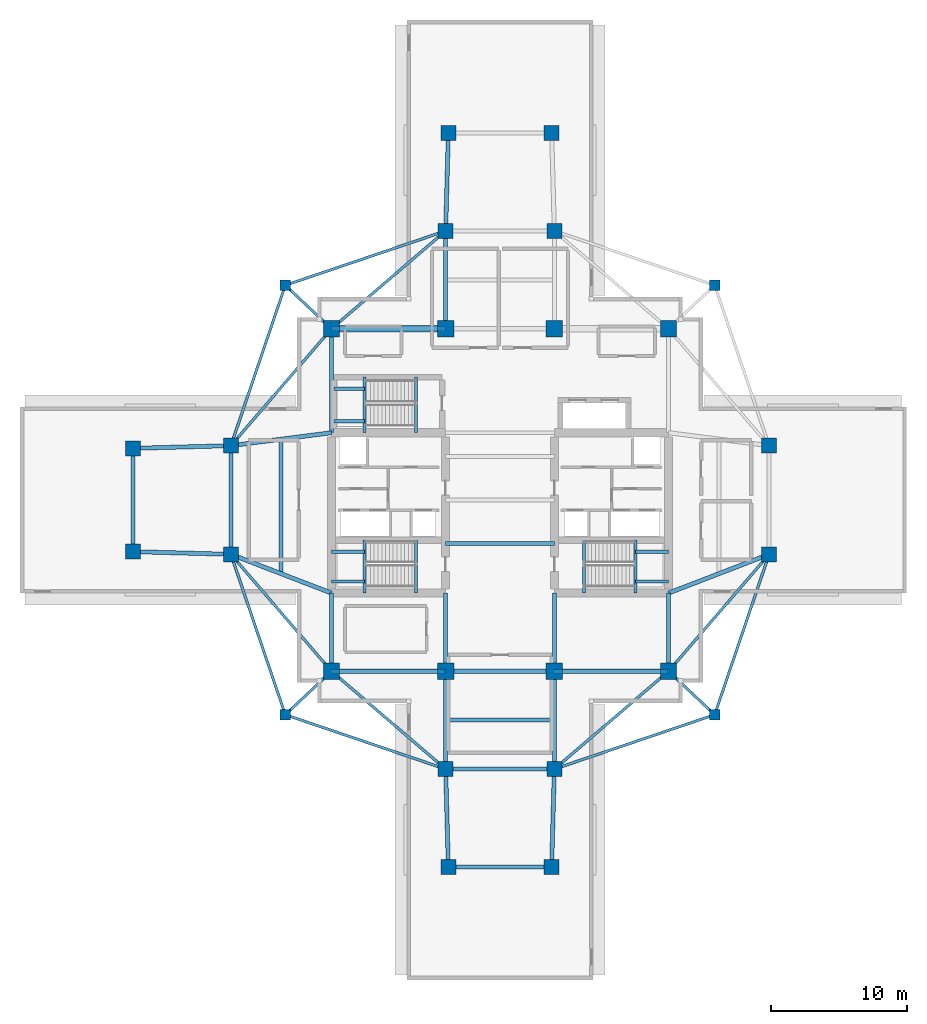
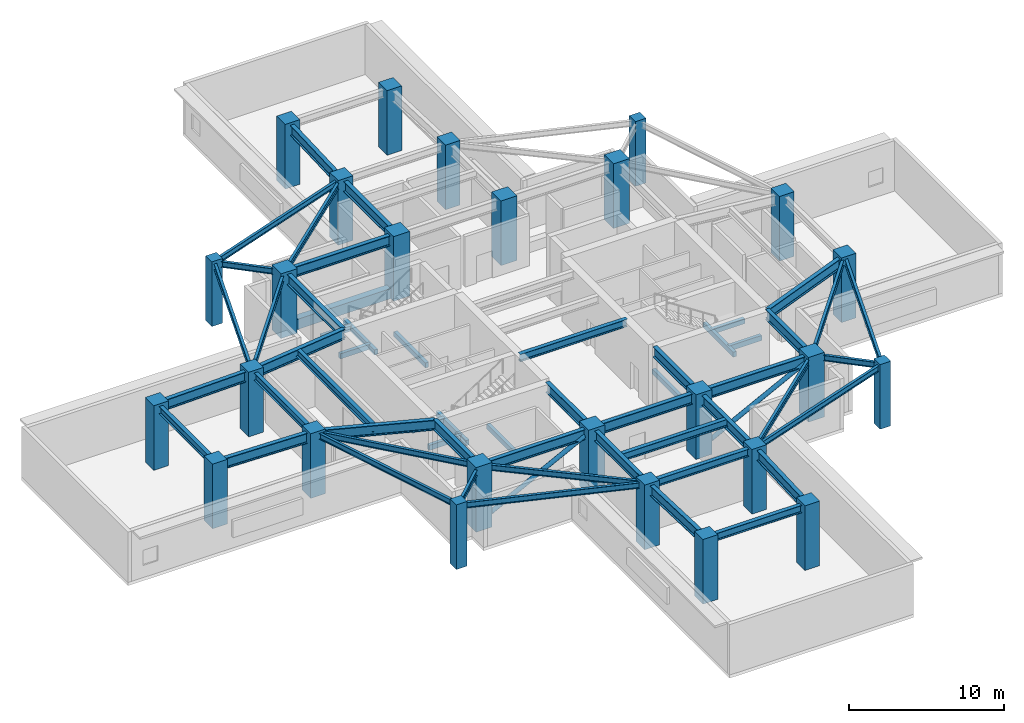
# One storey, part 1 of 11: 55 beams, 26 columns, 2 members.
"""IFC4 building model written with IfcOpenShell, lengths in metres."""

from ifc_helpers import new_model, si_unit, direction, frame, origin, origin_2d, place, context, subcontext, project, spatial, rectangle, hollow_circle, i_section, extrude, material, material_profile, profile_set, type_object, element, save


model = new_model("IFC4")

# Units and contexts
model_context = context("Model", 3, precision=1e-05, world=origin(), true_north=direction((0.0, 1.0)))
body_context = subcontext(model_context, "Body", "Model", "MODEL_VIEW")
ifc_project = project(units=[si_unit("LENGTHUNIT", "METRE"), si_unit("AREAUNIT", "SQUARE_METRE"), si_unit("VOLUMEUNIT", "CUBIC_METRE"), si_unit("PLANEANGLEUNIT", "RADIAN"), si_unit("MASSUNIT", "GRAM", prefix="KILO")], contexts=[model_context])

# Site, building, storey
site_placement = place(None, origin())
site = spatial("IfcSite", under=ifc_project, at=site_placement, CompositionType="ELEMENT")
building_placement = place(site_placement, origin())
building = spatial("IfcBuilding", under=site, at=building_placement, Name="Qingluan Cross Belvedere", CompositionType="ELEMENT")
storey_placement = place(building_placement, frame((0.0, 0.0, 143.699951171875)))
storey = spatial("IfcBuildingStorey", under=building, at=storey_placement, Name="L36", CompositionType="ELEMENT", Elevation=143.699951171875)

# Columns
ifc_material_1 = material(Name="Concrete C60", Category="concrete")
ifc_material_profile_1 = material_profile(ifc_material_1, rectangle(XDim=1.10009765625, YDim=1.10009765625, at=origin_2d()), Name="RC1100x1100")
ifc_profile_set_1 = profile_set([ifc_material_profile_1], Name="Concrete C60")
column_type_1 = type_object("IfcColumnType", Name="Column_RC1100x1100", PredefinedType="COLUMN", material=ifc_profile_set_1)
for number, where, z_axis, x_axis, name in (
    (1, (19.800048828125, -4.0, 0.0), (0.0, 0.0, 1.0), (1.0, 0.0, 0.0), "Arm column L36-EIA"),
    (2, (19.800048828125, 4.0, 0.0), (0.0, 0.0, 1.0), (1.0, 0.0, 0.0), "Arm column L36-EIB"),
    (3, (-19.800048828125, -4.0, 0.0), (0.0, 0.0, 1.0), (1.0, 0.0, 0.0), "Arm column L36-WIA"),
    (4, (-19.800048828125, 4.0, 0.0), (0.0, 0.0, 1.0), (1.0, 0.0, 0.0), "Arm column L36-WIB"),
    (5, (-4.0, -19.800048828125, 0.0), (0.0, 0.0, 1.0), (1.0, 0.0, 0.0), "Arm column L36-SIA"),
    (6, (4.0, -19.800048828125, 0.0), (0.0, 0.0, 1.0), (1.0, 0.0, 0.0), "Arm column L36-SIB"),
    (7, (-4.0, 19.800048828125, 0.0), (0.0, 0.0, 1.0), (1.0, 0.0, 0.0), "Arm column L36-NIA"),
    (8, (4.0, 19.800048828125, 0.0), (0.0, 0.0, 1.0), (1.0, 0.0, 0.0), "Arm column L36-NIB"),
    (9, (-27.0, -3.800048828125, 0.0), (0.0, 0.0, 1.0), (1.0, 0.0, 0.0), "Arm column L36-WOA"),
    (10, (-27.0, 3.800048828125, 0.0), (0.0, 0.0, 1.0), (1.0, 0.0, 0.0), "Arm column L36-WOB"),
    (11, (-3.800048828125, -27.0, 0.0), (0.0, 0.0, 1.0), (1.0, 0.0, 0.0), "Arm column L36-SOA"),
    (12, (3.800048828125, -27.0, 0.0), (0.0, 0.0, 1.0), (1.0, 0.0, 0.0), "Arm column L36-SOB"),
    (13, (-3.800048828125, 27.0, 0.0), (0.0, 0.0, 1.0), (1.0, 0.0, 0.0), "Arm column L36-NOA"),
    (14, (3.800048828125, 27.0, 0.0), (0.0, 0.0, 1.0), (1.0, 0.0, 0.0), "Arm column L36-NOB"),
):
    element("IfcColumn", number, at=place(storey_placement, frame(where, z_axis=z_axis, x_axis=x_axis)), inside=storey, type_object=column_type_1, Name=name, PredefinedType="COLUMN", context=body_context, shape_type="SweptSolid", body=[
        extrude(rectangle(XDim=1.10009765625, YDim=1.10009765625, at=origin_2d()), origin(), (0.0, 0.0, 1.0), 5.10009765625),
    ])
ifc_material_2 = material(Name="Concrete C60", Category="concrete")
ifc_material_profile_2 = material_profile(ifc_material_2, rectangle(XDim=1.199951171875, YDim=1.199951171875, at=origin_2d()), Name="RC1200x1200")
ifc_profile_set_2 = profile_set([ifc_material_profile_2], Name="Concrete C60")
column_type_2 = type_object("IfcColumnType", Name="Column_RC1200x1200", PredefinedType="COLUMN", material=ifc_profile_set_2)
for number, where, z_axis, x_axis, name in (
    (15, (-12.39990234375, -12.60009765625, 0.0), (0.0, 0.0, 1.0), (1.0, 0.0, 0.0), "Hub column L36-HC1"),
    (16, (12.39990234375, -12.60009765625, 0.0), (0.0, 0.0, 1.0), (1.0, 0.0, 0.0), "Hub column L36-HC2"),
    (17, (12.39990234375, 12.60009765625, 0.0), (0.0, 0.0, 1.0), (1.0, 0.0, 0.0), "Hub column L36-HC3"),
    (18, (-12.39990234375, 12.60009765625, 0.0), (0.0, 0.0, 1.0), (1.0, 0.0, 0.0), "Hub column L36-HC4"),
    (19, (-4.0, -12.60009765625, 0.0), (0.0, 0.0, 1.0), (1.0, 0.0, 0.0), "Hub column L36-HC5"),
    (20, (4.0, -12.60009765625, 0.0), (0.0, 0.0, 1.0), (1.0, 0.0, 0.0), "Hub column L36-HC6"),
    (21, (4.0, 12.60009765625, 0.0), (0.0, 0.0, 1.0), (1.0, 0.0, 0.0), "Hub column L36-HC7"),
    (22, (-4.0, 12.60009765625, 0.0), (0.0, 0.0, 1.0), (1.0, 0.0, 0.0), "Hub column L36-HC8"),
):
    element("IfcColumn", number, at=place(storey_placement, frame(where, z_axis=z_axis, x_axis=x_axis)), inside=storey, type_object=column_type_2, Name=name, PredefinedType="COLUMN", context=body_context, shape_type="SweptSolid", body=[
        extrude(rectangle(XDim=1.199951171875, YDim=1.199951171875, at=origin_2d()), origin(), (0.0, 0.0, 1.0), 5.10009765625),
    ])
ifc_material_3 = material(Name="Concrete C50", Category="concrete")
ifc_material_profile_3 = material_profile(ifc_material_3, rectangle(XDim=0.800048828125, YDim=0.800048828125, at=origin_2d()), Name="RC800x800")
ifc_profile_set_3 = profile_set([ifc_material_profile_3], Name="Concrete C50")
column_type_3 = type_object("IfcColumnType", Name="Column_RC800x800", PredefinedType="COLUMN", material=ifc_profile_set_3)
for number, where, z_axis, x_axis, name in (
    (23, (15.800048828125, 15.800048828125, 0.0), (0.0, 0.0, 1.0), (1.0, 0.0, 0.0), "Corner column L36-RNE"),
    (24, (-15.800048828125, 15.800048828125, 0.0), (0.0, 0.0, 1.0), (1.0, 0.0, 0.0), "Corner column L36-RNW"),
    (25, (-15.800048828125, -15.800048828125, 0.0), (0.0, 0.0, 1.0), (1.0, 0.0, 0.0), "Corner column L36-RSW"),
    (26, (15.800048828125, -15.800048828125, 0.0), (0.0, 0.0, 1.0), (1.0, 0.0, 0.0), "Corner column L36-RSE"),
):
    element("IfcColumn", number, at=place(storey_placement, frame(where, z_axis=z_axis, x_axis=x_axis)), inside=storey, type_object=column_type_3, Name=name, PredefinedType="COLUMN", context=body_context, shape_type="SweptSolid", body=[
        extrude(rectangle(XDim=0.800048828125, YDim=0.800048828125, at=origin_2d()), origin(), (0.0, 0.0, 1.0), 5.10009765625),
    ])

# Beams
ifc_material_4 = material(Name="Concrete C45", Category="concrete")
ifc_material_profile_4 = material_profile(ifc_material_4, rectangle(XDim=0.25, YDim=0.39990234375, at=origin_2d()), Name="RC250x400")
ifc_profile_set_4 = profile_set([ifc_material_profile_4], Name="Concrete C45")
beam_type_1 = type_object("IfcBeamType", Name="RC_Lintel_RC250x400", PredefinedType="LINTEL", material=ifc_profile_set_4)
for number, where, z_axis, x_axis, name in (
    (27, (-6.179931640625, -6.85009765625, -0.199951171875), (0.0, 1.0, 0.0), (-1.0, 0.0, 0.0), "Stair ST1 landing beam L36"),
    (28, (6.179931640625, -6.85009765625, -0.199951171875), (0.0, 1.0, 0.0), (-1.0, 0.0, 0.0), "Stair ST2 landing beam L36"),
):
    element("IfcBeam", number, at=place(storey_placement, frame(where, z_axis=z_axis, x_axis=x_axis)), inside=storey, type_object=beam_type_1, Name=name, PredefinedType="LINTEL", context=body_context, shape_type="SweptSolid", body=[
        extrude(rectangle(XDim=0.25, YDim=0.39990234375, at=origin_2d()), origin(), (0.0, 0.0, 1.0), 3.89013671875),
    ])
beam_1_placement = place(storey_placement, frame((-6.179931640625, 4.949951171875, -0.199951171875), z_axis=(0.0, 1.0, 0.0), x_axis=(-1.0, 0.0, 0.0)))
element("IfcBeam", 29, at=beam_1_placement, inside=storey, type_object=beam_type_1, Name="Stair ST3 landing beam L36", PredefinedType="LINTEL", context=body_context, shape_type="SweptSolid", body=[
    extrude(rectangle(XDim=0.25, YDim=0.39990234375, at=origin_2d()), origin(), (0.0, 0.0, 1.0), 4.090087890625),
])
beam_2_placement = place(storey_placement, frame((-9.969970703125, -6.85009765625, 2.150146484375), z_axis=(0.0, 1.0, 0.0), x_axis=(-1.0, 0.0, 0.0)))
element("IfcBeam", 30, at=beam_2_placement, inside=storey, type_object=beam_type_1, Name="Stair ST1 beam A L36", PredefinedType="LINTEL", context=body_context, shape_type="SweptSolid", body=[
    extrude(rectangle(XDim=0.25, YDim=0.39990234375, at=origin_2d()), origin(), (0.0, 0.0, 1.0), 3.89013671875),
])
for number, where, z_axis, x_axis, name in (
    (31, (-12.39990234375, -6.0, 2.150146484375), (1.0, 0.0, 0.0), (0.0, 1.0, 0.0), "Stair ST1 beam B L36"),
    (32, (-12.39990234375, -3.81005859375, 2.150146484375), (1.0, 0.0, 0.0), (0.0, 1.0, 0.0), "Stair ST1 beam C L36"),
):
    element("IfcBeam", number, at=place(storey_placement, frame(where, z_axis=z_axis, x_axis=x_axis)), inside=storey, type_object=beam_type_1, Name=name, PredefinedType="LINTEL", context=body_context, shape_type="SweptSolid", body=[
        extrude(rectangle(XDim=0.25, YDim=0.39990234375, at=origin_2d()), origin(), (0.0, 0.0, 1.0), 2.429931640625),
    ])
beam_3_placement = place(storey_placement, frame((9.969970703125, -6.85009765625, 2.150146484375), z_axis=(0.0, 1.0, 0.0), x_axis=(-1.0, 0.0, 0.0)))
element("IfcBeam", 33, at=beam_3_placement, inside=storey, type_object=beam_type_1, Name="Stair ST2 beam A L36", PredefinedType="LINTEL", context=body_context, shape_type="SweptSolid", body=[
    extrude(rectangle(XDim=0.25, YDim=0.39990234375, at=origin_2d()), origin(), (0.0, 0.0, 1.0), 3.89013671875),
])
for number, where, z_axis, x_axis, name in (
    (34, (12.39990234375, -6.0, 2.150146484375), (-1.0, 0.0, 0.0), (0.0, -1.0, 0.0), "Stair ST2 beam B L36"),
    (35, (12.39990234375, -3.81005859375, 2.150146484375), (-1.0, 0.0, 0.0), (0.0, -1.0, 0.0), "Stair ST2 beam C L36"),
):
    element("IfcBeam", number, at=place(storey_placement, frame(where, z_axis=z_axis, x_axis=x_axis)), inside=storey, type_object=beam_type_1, Name=name, PredefinedType="LINTEL", context=body_context, shape_type="SweptSolid", body=[
        extrude(rectangle(XDim=0.25, YDim=0.39990234375, at=origin_2d()), origin(), (0.0, 0.0, 1.0), 2.429931640625),
    ])
beam_4_placement = place(storey_placement, frame((-9.969970703125, 4.949951171875, 2.150146484375), z_axis=(0.0, 1.0, 0.0), x_axis=(-1.0, 0.0, 0.0)))
element("IfcBeam", 36, at=beam_4_placement, inside=storey, type_object=beam_type_1, Name="Stair ST3 beam A L36", PredefinedType="LINTEL", context=body_context, shape_type="SweptSolid", body=[
    extrude(rectangle(XDim=0.25, YDim=0.39990234375, at=origin_2d()), origin(), (0.0, 0.0, 1.0), 4.090087890625),
])
for number, where, z_axis, x_axis, name in (
    (37, (-12.219970703125, 5.800048828125, 2.150146484375), (1.0, 0.0, 0.0), (0.0, 1.0, 0.0), "Stair ST3 beam B L36"),
    (38, (-12.219970703125, 8.18994140625, 2.150146484375), (1.0, 0.0, 0.0), (0.0, 1.0, 0.0), "Stair ST3 beam C L36"),
):
    element("IfcBeam", number, at=place(storey_placement, frame(where, z_axis=z_axis, x_axis=x_axis)), inside=storey, type_object=beam_type_1, Name=name, PredefinedType="LINTEL", context=body_context, shape_type="SweptSolid", body=[
        extrude(rectangle(XDim=0.25, YDim=0.39990234375, at=origin_2d()), origin(), (0.0, 0.0, 1.0), 2.25),
    ])
ifc_material_5 = material(Name="Concrete C45", Category="concrete")
ifc_material_profile_5 = material_profile(ifc_material_5, rectangle(XDim=0.5, YDim=0.800048828125, at=origin_2d()), Name="RC500x800")
ifc_profile_set_5 = profile_set([ifc_material_profile_5], Name="Concrete C45")
beam_type_2 = type_object("IfcBeamType", Name="RC_Spandrel_RC500x800", PredefinedType="SPANDREL", material=ifc_profile_set_5)
beam_5_placement = place(storey_placement, frame((-12.39990234375, 12.60009765625, 0.400146484375), z_axis=(1.0, 0.0, 0.0), x_axis=(0.0, 1.0, 0.0)))
element("IfcBeam", 39, at=beam_5_placement, inside=storey, type_object=beam_type_2, Name="Perimeter RC spandrel beam L36-NW", PredefinedType="SPANDREL", context=body_context, shape_type="SweptSolid", body=[
    extrude(rectangle(XDim=0.5, YDim=0.800048828125, at=origin_2d()), origin(), (0.0, 0.0, 1.0), 8.39990234375),
])

# Members
ifc_material_6 = material(Name="Steel Q420GJB", Category="steel")
ifc_material_profile_6 = material_profile(ifc_material_6, hollow_circle(Radius=0.16259765625, WallThickness=0.013916015625, at=origin_2d()), Name="CHS325x14")
ifc_profile_set_6 = profile_set([ifc_material_profile_6], Name="Steel Q420GJB")
member_type = type_object("IfcMemberType", Name="SteelMember_STRUT_CHS325x14", PredefinedType="STRUT", material=ifc_profile_set_6)
for number, where, z_axis, x_axis, name in (
    (40, (-12.39990234375, -12.60009765625, 0.300048828125), (0.890143965082, 0.0, 0.455679406412), (0.0, 1.0, 0.0), "Refuge hub lateral strut L36-SW"),
    (41, (4.0, -12.60009765625, 0.300048828125), (0.890143965082, 0.0, 0.455679406412), (0.0, 1.0, 0.0), "Refuge hub lateral strut L36-SE"),
):
    element("IfcMember", number, at=place(storey_placement, frame(where, z_axis=z_axis, x_axis=x_axis)), inside=storey, type_object=member_type, Name=name, PredefinedType="STRUT", context=body_context, shape_type="SweptSolid", body=[
        extrude(hollow_circle(Radius=0.16259765625, WallThickness=0.013916015625, at=origin_2d()), origin(), (0.0, 0.0, 1.0), 9.4365234375),
    ])

# Beams
ifc_material_7 = material(Name="Steel Q420GJB", Category="steel")
ifc_material_profile_7 = material_profile(ifc_material_7, i_section(OverallWidth=0.300048828125, OverallDepth=0.587890625, WebThickness=0.011962890625, FlangeThickness=0.02001953125, FilletRadius=0.02392578125, at=origin_2d()), Name="HM588x300x12x20")
ifc_profile_set_7 = profile_set([ifc_material_profile_7], Name="Steel Q420GJB")
beam_type_3 = type_object("IfcBeamType", Name="Steel_Beam_HM588x300x12x20", PredefinedType="BEAM", material=ifc_profile_set_7)
for number, where, z_axis, x_axis, name in (
    (42, (-4.0, -3.199951171875, 4.60595703125), (1.0, 0.0, 0.0), (0.0, 1.0, 0.0), "Hall beam L36-CH1"),
    (43, (-19.800048828125, -4.0, 4.60595703125), (0.0, 1.0, 0.0), (-1.0, 0.0, 0.0), "Arm W tie L36"),
):
    element("IfcBeam", number, at=place(storey_placement, frame(where, z_axis=z_axis, x_axis=x_axis)), inside=storey, type_object=beam_type_3, Name=name, PredefinedType="BEAM", context=body_context, shape_type="SweptSolid", body=[
        extrude(i_section(OverallWidth=0.300048828125, OverallDepth=0.587890625, WebThickness=0.011962890625, FlangeThickness=0.02001953125, FilletRadius=0.02392578125, at=origin_2d()), origin(), (0.0, 0.0, 1.0), 8.0),
    ])
beam_6_placement = place(storey_placement, frame((-16.10009765625, -5.425048828125, 4.60595703125), z_axis=(0.0, 1.0, 0.0), x_axis=(-1.0, 0.0, 0.0)))
element("IfcBeam", 44, at=beam_6_placement, inside=storey, type_object=beam_type_3, Name="Arm W beam L36", PredefinedType="BEAM", context=body_context, shape_type="SweptSolid", body=[
    extrude(i_section(OverallWidth=0.300048828125, OverallDepth=0.587890625, WebThickness=0.011962890625, FlangeThickness=0.02001953125, FilletRadius=0.02392578125, at=origin_2d()), origin(), (0.0, 0.0, 1.0), 9.900146484375),
])
beam_7_placement = place(storey_placement, frame((-27.0, -3.800048828125, 4.60595703125), z_axis=(0.0, 1.0, 0.0), x_axis=(-1.0, 0.0, 0.0)))
element("IfcBeam", 45, at=beam_7_placement, inside=storey, type_object=beam_type_3, Name="Arm W tip transverse beam L36", PredefinedType="BEAM", context=body_context, shape_type="SweptSolid", body=[
    extrude(i_section(OverallWidth=0.300048828125, OverallDepth=0.587890625, WebThickness=0.011962890625, FlangeThickness=0.02001953125, FilletRadius=0.02392578125, at=origin_2d()), origin(), (0.0, 0.0, 1.0), 7.60009765625),
])
for number, where, z_axis, x_axis, name in (
    (46, (-4.0, -19.800048828125, 4.60595703125), (1.0, 0.0, 0.0), (0.0, 1.0, 0.0), "Arm S tie L36"),
    (47, (-4.0, -16.199951171875, 4.60595703125), (1.0, 0.0, 0.0), (0.0, 1.0, 0.0), "Arm S beam L36"),
):
    element("IfcBeam", number, at=place(storey_placement, frame(where, z_axis=z_axis, x_axis=x_axis)), inside=storey, type_object=beam_type_3, Name=name, PredefinedType="BEAM", context=body_context, shape_type="SweptSolid", body=[
        extrude(i_section(OverallWidth=0.300048828125, OverallDepth=0.587890625, WebThickness=0.011962890625, FlangeThickness=0.02001953125, FilletRadius=0.02392578125, at=origin_2d()), origin(), (0.0, 0.0, 1.0), 8.0),
    ])
beam_8_placement = place(storey_placement, frame((-3.800048828125, -27.0, 4.60595703125), z_axis=(1.0, 0.0, 0.0), x_axis=(0.0, 1.0, 0.0)))
element("IfcBeam", 48, at=beam_8_placement, inside=storey, type_object=beam_type_3, Name="Arm S tip transverse beam L36", PredefinedType="BEAM", context=body_context, shape_type="SweptSolid", body=[
    extrude(i_section(OverallWidth=0.300048828125, OverallDepth=0.587890625, WebThickness=0.011962890625, FlangeThickness=0.02001953125, FilletRadius=0.02392578125, at=origin_2d()), origin(), (0.0, 0.0, 1.0), 7.60009765625),
])
ifc_material_8 = material(Name="Steel Q420GJB", Category="steel")
ifc_material_profile_8 = material_profile(ifc_material_8, i_section(OverallWidth=0.199951171875, OverallDepth=0.449951171875, WebThickness=0.009033203125, FlangeThickness=0.013916015625, FilletRadius=0.01611328125, at=origin_2d()), Name="HN450x200x9x14")
ifc_profile_set_8 = profile_set([ifc_material_profile_8], Name="Steel Q420GJB")
beam_type_4 = type_object("IfcBeamType", Name="Steel_Beam_HN450x200x9x14", PredefinedType="JOIST", material=ifc_profile_set_8)
beam_9_placement = place(storey_placement, frame((-12.39990234375, 12.60009765625, 4.655029296875), z_axis=(-0.728219948308, 0.685343495546, 0.0), x_axis=(-0.685343495546, -0.728219948308, 0.0)))
element("IfcBeam", 49, at=beam_9_placement, inside=storey, type_object=beam_type_4, Name="Corner beam 1 L36-RNW", PredefinedType="JOIST", context=body_context, shape_type="SweptSolid", body=[
    extrude(i_section(OverallWidth=0.199951171875, OverallDepth=0.449951171875, WebThickness=0.009033203125, FlangeThickness=0.013916015625, FilletRadius=0.01611328125, at=origin_2d()), origin(), (0.0, 0.0, 1.0), 4.669189453125),
])
for number, where, z_axis, x_axis, name in (
    (50, (-15.800048828125, 15.800048828125, 4.655029296875), (0.947066283324, 0.321038089628, 0.0), (-0.321038089628, 0.947066283324, 0.0), "Corner beam 2 L36-RNW"),
    (51, (-15.800048828125, 15.800048828125, 4.655029296875), (-0.321038089628, -0.947066283324, 0.0), (0.947066283324, -0.321038089628, 0.0), "Corner beam 3 L36-RNW"),
):
    element("IfcBeam", number, at=place(storey_placement, frame(where, z_axis=z_axis, x_axis=x_axis)), inside=storey, type_object=beam_type_4, Name=name, PredefinedType="JOIST", context=body_context, shape_type="SweptSolid", body=[
        extrude(i_section(OverallWidth=0.199951171875, OverallDepth=0.449951171875, WebThickness=0.009033203125, FlangeThickness=0.013916015625, FilletRadius=0.01611328125, at=origin_2d()), origin(), (0.0, 0.0, 1.0), 12.45947265625),
    ])
beam_10_placement = place(storey_placement, frame((-12.39990234375, 12.60009765625, 4.655029296875), z_axis=(-0.652245077546, -0.75800815221, 0.0), x_axis=(0.75800815221, -0.652245077546, 0.0)))
element("IfcBeam", 52, at=beam_10_placement, inside=storey, type_object=beam_type_4, Name="Corner beam 4 L36-RNW", PredefinedType="JOIST", context=body_context, shape_type="SweptSolid", body=[
    extrude(i_section(OverallWidth=0.199951171875, OverallDepth=0.449951171875, WebThickness=0.009033203125, FlangeThickness=0.013916015625, FilletRadius=0.01611328125, at=origin_2d()), origin(), (0.0, 0.0, 1.0), 11.345703125),
])
beam_11_placement = place(storey_placement, frame((-12.39990234375, 12.60009765625, 4.655029296875), z_axis=(0.759255044656, 0.650793190779, 0.0), x_axis=(-0.650793190779, 0.759255044656, 0.0)))
element("IfcBeam", 53, at=beam_11_placement, inside=storey, type_object=beam_type_4, Name="Corner beam 5 L36-RNW", PredefinedType="JOIST", context=body_context, shape_type="SweptSolid", body=[
    extrude(i_section(OverallWidth=0.199951171875, OverallDepth=0.449951171875, WebThickness=0.009033203125, FlangeThickness=0.013916015625, FilletRadius=0.01611328125, at=origin_2d()), origin(), (0.0, 0.0, 1.0), 11.063232421875),
])
beam_12_placement = place(storey_placement, frame((-12.39990234375, -12.60009765625, 4.675048828125), z_axis=(-0.728219948308, -0.685343495546, 0.0), x_axis=(0.685343495546, -0.728219948308, 0.0)))
element("IfcBeam", 54, at=beam_12_placement, inside=storey, type_object=beam_type_4, Name="Corner beam 1 L36-RSW", PredefinedType="JOIST", context=body_context, shape_type="SweptSolid", body=[
    extrude(i_section(OverallWidth=0.199951171875, OverallDepth=0.449951171875, WebThickness=0.009033203125, FlangeThickness=0.013916015625, FilletRadius=0.01611328125, at=origin_2d()), origin(), (0.0, 0.0, 1.0), 4.669189453125),
])
for number, where, z_axis, x_axis, name in (
    (55, (-15.800048828125, -15.800048828125, 4.675048828125), (0.947066283324, -0.321038089628, 0.0), (0.321038089628, 0.947066283324, 0.0), "Corner beam 2 L36-RSW"),
    (56, (-15.800048828125, -15.800048828125, 4.675048828125), (-0.321038089628, 0.947066283324, 0.0), (-0.947066283324, -0.321038089628, 0.0), "Corner beam 3 L36-RSW"),
):
    element("IfcBeam", number, at=place(storey_placement, frame(where, z_axis=z_axis, x_axis=x_axis)), inside=storey, type_object=beam_type_4, Name=name, PredefinedType="JOIST", context=body_context, shape_type="SweptSolid", body=[
        extrude(i_section(OverallWidth=0.199951171875, OverallDepth=0.449951171875, WebThickness=0.009033203125, FlangeThickness=0.013916015625, FilletRadius=0.01611328125, at=origin_2d()), origin(), (0.0, 0.0, 1.0), 12.45947265625),
    ])
beam_13_placement = place(storey_placement, frame((-12.39990234375, -12.60009765625, 4.675048828125), z_axis=(-0.652245077546, 0.75800815221, 0.0), x_axis=(-0.75800815221, -0.652245077546, 0.0)))
element("IfcBeam", 57, at=beam_13_placement, inside=storey, type_object=beam_type_4, Name="Corner beam 4 L36-RSW", PredefinedType="JOIST", context=body_context, shape_type="SweptSolid", body=[
    extrude(i_section(OverallWidth=0.199951171875, OverallDepth=0.449951171875, WebThickness=0.009033203125, FlangeThickness=0.013916015625, FilletRadius=0.01611328125, at=origin_2d()), origin(), (0.0, 0.0, 1.0), 11.345703125),
])
beam_14_placement = place(storey_placement, frame((-12.39990234375, -12.60009765625, 4.675048828125), z_axis=(0.759255044656, -0.650793190779, 0.0), x_axis=(0.650793190779, 0.759255044656, 0.0)))
element("IfcBeam", 58, at=beam_14_placement, inside=storey, type_object=beam_type_4, Name="Corner beam 5 L36-RSW", PredefinedType="JOIST", context=body_context, shape_type="SweptSolid", body=[
    extrude(i_section(OverallWidth=0.199951171875, OverallDepth=0.449951171875, WebThickness=0.009033203125, FlangeThickness=0.013916015625, FilletRadius=0.01611328125, at=origin_2d()), origin(), (0.0, 0.0, 1.0), 11.063232421875),
])
beam_15_placement = place(storey_placement, frame((12.39990234375, -12.60009765625, 4.675048828125), z_axis=(0.728219948308, -0.685343495546, 0.0), x_axis=(0.685343495546, 0.728219948308, 0.0)))
element("IfcBeam", 59, at=beam_15_placement, inside=storey, type_object=beam_type_4, Name="Corner beam 1 L36-RSE", PredefinedType="JOIST", context=body_context, shape_type="SweptSolid", body=[
    extrude(i_section(OverallWidth=0.199951171875, OverallDepth=0.449951171875, WebThickness=0.009033203125, FlangeThickness=0.013916015625, FilletRadius=0.01611328125, at=origin_2d()), origin(), (0.0, 0.0, 1.0), 4.669189453125),
])
for number, where, z_axis, x_axis, name in (
    (60, (15.800048828125, -15.800048828125, 4.675048828125), (-0.947066283324, -0.321038089628, 0.0), (0.321038089628, -0.947066283324, 0.0), "Corner beam 2 L36-RSE"),
    (61, (15.800048828125, -15.800048828125, 4.675048828125), (0.321038089628, 0.947066283324, 0.0), (-0.947066283324, 0.321038089628, 0.0), "Corner beam 3 L36-RSE"),
):
    element("IfcBeam", number, at=place(storey_placement, frame(where, z_axis=z_axis, x_axis=x_axis)), inside=storey, type_object=beam_type_4, Name=name, PredefinedType="JOIST", context=body_context, shape_type="SweptSolid", body=[
        extrude(i_section(OverallWidth=0.199951171875, OverallDepth=0.449951171875, WebThickness=0.009033203125, FlangeThickness=0.013916015625, FilletRadius=0.01611328125, at=origin_2d()), origin(), (0.0, 0.0, 1.0), 12.45947265625),
    ])
beam_16_placement = place(storey_placement, frame((12.39990234375, -12.60009765625, 4.675048828125), z_axis=(0.652245077546, 0.75800815221, 0.0), x_axis=(-0.75800815221, 0.652245077546, 0.0)))
element("IfcBeam", 62, at=beam_16_placement, inside=storey, type_object=beam_type_4, Name="Corner beam 4 L36-RSE", PredefinedType="JOIST", context=body_context, shape_type="SweptSolid", body=[
    extrude(i_section(OverallWidth=0.199951171875, OverallDepth=0.449951171875, WebThickness=0.009033203125, FlangeThickness=0.013916015625, FilletRadius=0.01611328125, at=origin_2d()), origin(), (0.0, 0.0, 1.0), 11.345703125),
])
beam_17_placement = place(storey_placement, frame((12.39990234375, -12.60009765625, 4.675048828125), z_axis=(-0.759255044656, -0.650793190779, 0.0), x_axis=(0.650793190779, -0.759255044656, 0.0)))
element("IfcBeam", 63, at=beam_17_placement, inside=storey, type_object=beam_type_4, Name="Corner beam 5 L36-RSE", PredefinedType="JOIST", context=body_context, shape_type="SweptSolid", body=[
    extrude(i_section(OverallWidth=0.199951171875, OverallDepth=0.449951171875, WebThickness=0.009033203125, FlangeThickness=0.013916015625, FilletRadius=0.01611328125, at=origin_2d()), origin(), (0.0, 0.0, 1.0), 11.063232421875),
])
ifc_material_9 = material(Name="Steel Q420GJB", Category="steel")
ifc_material_profile_9 = material_profile(ifc_material_9, i_section(OverallWidth=0.305908203125, OverallDepth=0.81396484375, WebThickness=0.02099609375, FlangeThickness=0.0400390625, FilletRadius=0.030029296875, at=origin_2d()), Name="HEM800")
ifc_profile_set_9 = profile_set([ifc_material_profile_9], Name="Steel Q420GJB")
beam_type_5 = type_object("IfcBeamType", Name="Steel_Girder_HEM800", PredefinedType="USERDEFINED", material=ifc_profile_set_9)
beam_18_placement = place(storey_placement, frame((-12.39990234375, -12.60009765625, 4.4931640625), z_axis=(1.0, 0.0, 0.0), x_axis=(0.0, 1.0, 0.0)))
element("IfcBeam", 64, at=beam_18_placement, inside=storey, type_object=beam_type_5, Name="Hub girder L36-HG-S1", ObjectType="GIRDER", PredefinedType="USERDEFINED", context=body_context, shape_type="SweptSolid", body=[
    extrude(i_section(OverallWidth=0.305908203125, OverallDepth=0.81396484375, WebThickness=0.02099609375, FlangeThickness=0.0400390625, FilletRadius=0.030029296875, at=origin_2d()), origin(), (0.0, 0.0, 1.0), 8.39990234375),
])
beam_19_placement = place(storey_placement, frame((-4.0, -12.60009765625, 4.4931640625), z_axis=(1.0, 0.0, 0.0), x_axis=(0.0, 1.0, 0.0)))
element("IfcBeam", 65, at=beam_19_placement, inside=storey, type_object=beam_type_5, Name="Hub girder L36-HG-S2", ObjectType="GIRDER", PredefinedType="USERDEFINED", context=body_context, shape_type="SweptSolid", body=[
    extrude(i_section(OverallWidth=0.305908203125, OverallDepth=0.81396484375, WebThickness=0.02099609375, FlangeThickness=0.0400390625, FilletRadius=0.030029296875, at=origin_2d()), origin(), (0.0, 0.0, 1.0), 8.0),
])
for number, where, z_axis, x_axis, name in (
    (66, (4.0, -12.60009765625, 4.4931640625), (1.0, 0.0, 0.0), (0.0, 1.0, 0.0), "Hub girder L36-HG-S3"),
    (67, (-12.39990234375, 12.60009765625, 4.4931640625), (1.0, 0.0, 0.0), (0.0, 1.0, 0.0), "Hub girder L36-HG-N1"),
):
    element("IfcBeam", number, at=place(storey_placement, frame(where, z_axis=z_axis, x_axis=x_axis)), inside=storey, type_object=beam_type_5, Name=name, ObjectType="GIRDER", PredefinedType="USERDEFINED", context=body_context, shape_type="SweptSolid", body=[
        extrude(i_section(OverallWidth=0.305908203125, OverallDepth=0.81396484375, WebThickness=0.02099609375, FlangeThickness=0.0400390625, FilletRadius=0.030029296875, at=origin_2d()), origin(), (0.0, 0.0, 1.0), 8.39990234375),
    ])
beam_20_placement = place(storey_placement, frame((-12.39990234375, -12.60009765625, 4.4931640625), z_axis=(0.0, 1.0, 0.0), x_axis=(-1.0, 0.0, 0.0)))
element("IfcBeam", 68, at=beam_20_placement, inside=storey, type_object=beam_type_5, Name="Hub girder L36-HG-W1", ObjectType="GIRDER", PredefinedType="USERDEFINED", context=body_context, shape_type="SweptSolid", body=[
    extrude(i_section(OverallWidth=0.305908203125, OverallDepth=0.81396484375, WebThickness=0.02099609375, FlangeThickness=0.0400390625, FilletRadius=0.030029296875, at=origin_2d()), origin(), (0.0, 0.0, 1.0), 5.75),
])
beam_21_placement = place(storey_placement, frame((-12.39990234375, 4.949951171875, 4.4931640625), z_axis=(0.0, 1.0, 0.0), x_axis=(-1.0, 0.0, 0.0)))
element("IfcBeam", 69, at=beam_21_placement, inside=storey, type_object=beam_type_5, Name="Hub girder L36-HG-W2", ObjectType="GIRDER", PredefinedType="USERDEFINED", context=body_context, shape_type="SweptSolid", body=[
    extrude(i_section(OverallWidth=0.305908203125, OverallDepth=0.81396484375, WebThickness=0.02099609375, FlangeThickness=0.0400390625, FilletRadius=0.030029296875, at=origin_2d()), origin(), (0.0, 0.0, 1.0), 7.650146484375),
])
for number, where, z_axis, x_axis, name in (
    (70, (12.39990234375, -12.60009765625, 4.4931640625), (0.0, 1.0, 0.0), (-1.0, 0.0, 0.0), "Hub girder L36-HG-E1"),
    (71, (-4.0, -12.60009765625, 4.4931640625), (0.0, 1.0, 0.0), (-1.0, 0.0, 0.0), "Hub girder L36-HG-CW"),
    (72, (4.0, -12.60009765625, 4.4931640625), (0.0, 1.0, 0.0), (-1.0, 0.0, 0.0), "Hub girder L36-HG-CE"),
):
    element("IfcBeam", number, at=place(storey_placement, frame(where, z_axis=z_axis, x_axis=x_axis)), inside=storey, type_object=beam_type_5, Name=name, ObjectType="GIRDER", PredefinedType="USERDEFINED", context=body_context, shape_type="SweptSolid", body=[
        extrude(i_section(OverallWidth=0.305908203125, OverallDepth=0.81396484375, WebThickness=0.02099609375, FlangeThickness=0.0400390625, FilletRadius=0.030029296875, at=origin_2d()), origin(), (0.0, 0.0, 1.0), 5.75),
    ])
for number, where, z_axis, x_axis, name in (
    (73, (12.39990234375, -6.85009765625, 4.4931640625), (0.933181258889, 0.359406090735, 0.0), (-0.359406090735, 0.933181258889, 0.0), "Arm E radial girder A L36"),
    (74, (-12.39990234375, -6.85009765625, 4.4931640625), (-0.933181258889, 0.359406090735, 0.0), (-0.359406090735, -0.933181258889, 0.0), "Arm W radial girder A L36"),
):
    element("IfcBeam", number, at=place(storey_placement, frame(where, z_axis=z_axis, x_axis=x_axis)), inside=storey, type_object=beam_type_5, Name=name, ObjectType="GIRDER", PredefinedType="USERDEFINED", context=body_context, shape_type="SweptSolid", body=[
        extrude(i_section(OverallWidth=0.305908203125, OverallDepth=0.81396484375, WebThickness=0.02099609375, FlangeThickness=0.0400390625, FilletRadius=0.030029296875, at=origin_2d()), origin(), (0.0, 0.0, 1.0), 7.929931640625),
    ])
beam_22_placement = place(storey_placement, frame((-12.39990234375, 4.949951171875, 4.4931640625), z_axis=(-0.991861120628, -0.12732445714, 0.0), x_axis=(0.12732445714, -0.991861120628, 0.0)))
element("IfcBeam", 75, at=beam_22_placement, inside=storey, type_object=beam_type_5, Name="Arm W radial girder B L36", ObjectType="GIRDER", PredefinedType="USERDEFINED", context=body_context, shape_type="SweptSolid", body=[
    extrude(i_section(OverallWidth=0.305908203125, OverallDepth=0.81396484375, WebThickness=0.02099609375, FlangeThickness=0.0400390625, FilletRadius=0.030029296875, at=origin_2d()), origin(), (0.0, 0.0, 1.0), 7.4609375),
])
for number, where, z_axis, x_axis, name in (
    (76, (-19.800048828125, -4.0, 4.4931640625), (-0.999614603568, 0.027760481514, 0.0), (-0.027760481514, -0.999614603568, 0.0), "Arm W outer radial girder A L36"),
    (77, (-19.800048828125, 4.0, 4.4931640625), (-0.999614603568, -0.027760481514, 0.0), (0.027760481514, -0.999614603568, 0.0), "Arm W outer radial girder B L36"),
):
    element("IfcBeam", number, at=place(storey_placement, frame(where, z_axis=z_axis, x_axis=x_axis)), inside=storey, type_object=beam_type_5, Name=name, ObjectType="GIRDER", PredefinedType="USERDEFINED", context=body_context, shape_type="SweptSolid", body=[
        extrude(i_section(OverallWidth=0.305908203125, OverallDepth=0.81396484375, WebThickness=0.02099609375, FlangeThickness=0.0400390625, FilletRadius=0.030029296875, at=origin_2d()), origin(), (0.0, 0.0, 1.0), 7.20263671875),
    ])
beam_23_placement = place(storey_placement, frame((-4.0, 12.60009765625, 4.4931640625), z_axis=(0.0, 1.0, 0.0), x_axis=(-1.0, 0.0, 0.0)))
element("IfcBeam", 78, at=beam_23_placement, inside=storey, type_object=beam_type_5, Name="Arm N radial girder A L36", ObjectType="GIRDER", PredefinedType="USERDEFINED", context=body_context, shape_type="SweptSolid", body=[
    extrude(i_section(OverallWidth=0.305908203125, OverallDepth=0.81396484375, WebThickness=0.02099609375, FlangeThickness=0.0400390625, FilletRadius=0.030029296875, at=origin_2d()), origin(), (0.0, 0.0, 1.0), 7.199951171875),
])
beam_24_placement = place(storey_placement, frame((-4.0, 19.800048828125, 4.4931640625), z_axis=(0.027760481514, 0.999614603568, 0.0), x_axis=(-0.999614603568, 0.027760481514, 0.0)))
element("IfcBeam", 79, at=beam_24_placement, inside=storey, type_object=beam_type_5, Name="Arm N outer radial girder A L36", ObjectType="GIRDER", PredefinedType="USERDEFINED", context=body_context, shape_type="SweptSolid", body=[
    extrude(i_section(OverallWidth=0.305908203125, OverallDepth=0.81396484375, WebThickness=0.02099609375, FlangeThickness=0.0400390625, FilletRadius=0.030029296875, at=origin_2d()), origin(), (0.0, 0.0, 1.0), 7.20263671875),
])
for number, where, z_axis, x_axis, name in (
    (80, (-4.0, -12.60009765625, 4.4931640625), (0.0, -1.0, 0.0), (1.0, 0.0, 0.0), "Arm S radial girder A L36"),
    (81, (4.0, -12.60009765625, 4.4931640625), (0.0, -1.0, 0.0), (1.0, 0.0, 0.0), "Arm S radial girder B L36"),
):
    element("IfcBeam", number, at=place(storey_placement, frame(where, z_axis=z_axis, x_axis=x_axis)), inside=storey, type_object=beam_type_5, Name=name, ObjectType="GIRDER", PredefinedType="USERDEFINED", context=body_context, shape_type="SweptSolid", body=[
        extrude(i_section(OverallWidth=0.305908203125, OverallDepth=0.81396484375, WebThickness=0.02099609375, FlangeThickness=0.0400390625, FilletRadius=0.030029296875, at=origin_2d()), origin(), (0.0, 0.0, 1.0), 7.199951171875),
    ])
for number, where, z_axis, x_axis, name in (
    (82, (-4.0, -19.800048828125, 4.4931640625), (0.027760481514, -0.999614603568, 0.0), (0.999614603568, 0.027760481514, 0.0), "Arm S outer radial girder A L36"),
    (83, (4.0, -19.800048828125, 4.4931640625), (-0.027760481514, -0.999614603568, 0.0), (0.999614603568, -0.027760481514, 0.0), "Arm S outer radial girder B L36"),
):
    element("IfcBeam", number, at=place(storey_placement, frame(where, z_axis=z_axis, x_axis=x_axis)), inside=storey, type_object=beam_type_5, Name=name, ObjectType="GIRDER", PredefinedType="USERDEFINED", context=body_context, shape_type="SweptSolid", body=[
        extrude(i_section(OverallWidth=0.305908203125, OverallDepth=0.81396484375, WebThickness=0.02099609375, FlangeThickness=0.0400390625, FilletRadius=0.030029296875, at=origin_2d()), origin(), (0.0, 0.0, 1.0), 7.20263671875),
    ])

save(model, "model.ifc")
